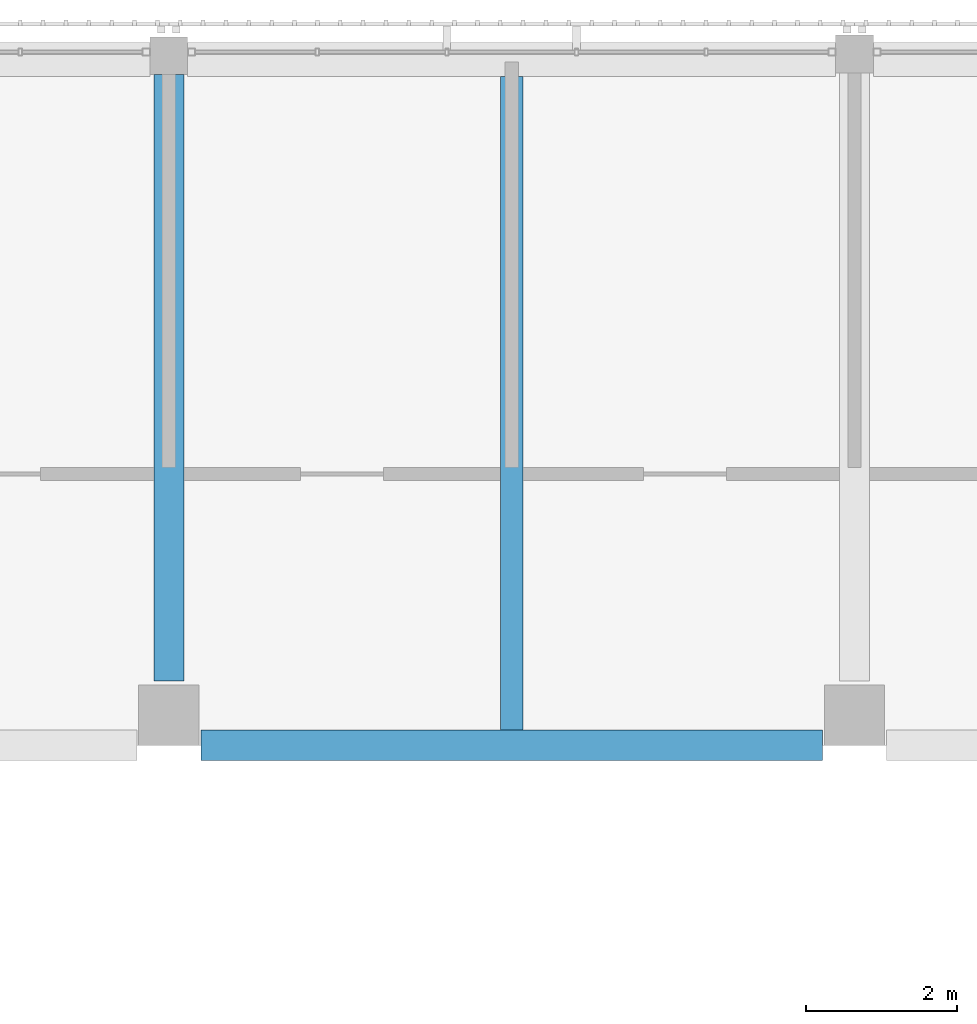
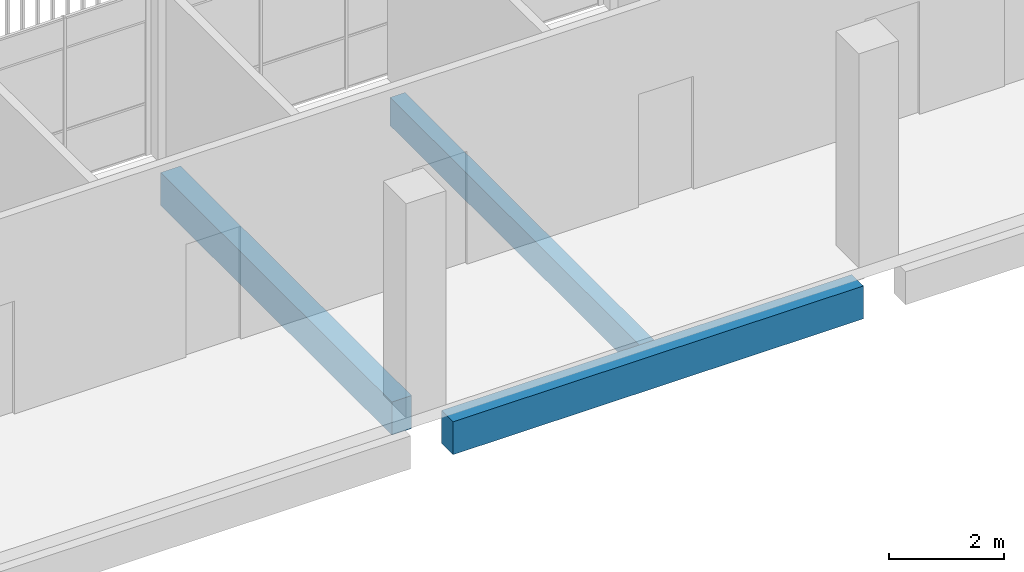
# One storey, part 42 of 124: 3 beams.
"""IFC4 building model written with IfcOpenShell, lengths in metres."""

from ifc_helpers import new_model, si_unit, direction, frame, origin, origin_2d, place, context, subcontext, project, spatial, rectangle, extrude, material, material_profile, profile_set, type_object, element, save


model = new_model("IFC4")

# Units and contexts
model_context = context("Model", 3, precision=1e-05, world=origin(), true_north=direction((0.0, 1.0)))
body_context = subcontext(model_context, "Body", "Model", "MODEL_VIEW")
ifc_project = project(units=[si_unit("LENGTHUNIT", "METRE"), si_unit("AREAUNIT", "SQUARE_METRE"), si_unit("VOLUMEUNIT", "CUBIC_METRE"), si_unit("PLANEANGLEUNIT", "RADIAN"), si_unit("MASSUNIT", "GRAM", prefix="KILO")], contexts=[model_context])

# Site, building, storey
site_placement = place(None, origin())
site = spatial("IfcSite", under=ifc_project, at=site_placement, CompositionType="ELEMENT")
building_placement = place(site_placement, origin())
building = spatial("IfcBuilding", under=site, at=building_placement, Name="Shirokan Park Arena", CompositionType="ELEMENT")
storey_placement = place(building_placement, frame((0.0, 0.0, 20.02001953125)))
storey = spatial("IfcBuildingStorey", under=building, at=storey_placement, Name="L04", CompositionType="ELEMENT", Elevation=20.02001953125)

# Beams
ifc_material = material(Name="Concrete C35", Category="concrete")
ifc_material_profile_1 = material_profile(ifc_material, rectangle(XDim=0.39990234375, YDim=0.699951171875, at=origin_2d()), Name="400x700")
ifc_profile_set_1 = profile_set([ifc_material_profile_1], Name="Concrete C35")
beam_type_1 = type_object("IfcBeamType", Name="RC girder 400x700", PredefinedType="BEAM", material=ifc_profile_set_1)
beam_1_placement = place(storey_placement, frame((82.3251953125, 100.10009765625, -0.60009765625), z_axis=(1.0, 0.0, 0.0), x_axis=(0.0, 1.0, 0.0)))
element("IfcBeam", 1, at=beam_1_placement, inside=storey, type_object=beam_type_1, Name="Girder 10M-11M L04", PredefinedType="BEAM", context=body_context, shape_type="SweptSolid", body=[
    extrude(rectangle(XDim=0.39990234375, YDim=0.699951171875, at=origin_2d()), origin(), (0.0, 0.0, 1.0), 8.249755859375),
])
beam_2_placement = place(storey_placement, frame((81.89990234375, 100.9501953125, -0.60009765625), z_axis=(0.0, 1.0, 0.0), x_axis=(-1.0, 0.0, 0.0)))
element("IfcBeam", 2, at=beam_2_placement, inside=storey, type_object=beam_type_1, Name="Girder 10M-10N L04", PredefinedType="BEAM", context=body_context, shape_type="SweptSolid", body=[
    extrude(rectangle(XDim=0.39990234375, YDim=0.699951171875, at=origin_2d()), origin(), (0.0, 0.0, 1.0), 8.0498046875),
])
ifc_material_profile_2 = material_profile(ifc_material, rectangle(XDim=0.300048828125, YDim=0.60009765625, at=origin_2d()), Name="300x600")
ifc_profile_set_2 = profile_set([ifc_material_profile_2], Name="Concrete C35")
beam_type_2 = type_object("IfcBeamType", Name="RC joist 300x600", PredefinedType="JOIST", material=ifc_profile_set_2)
beam_3_placement = place(storey_placement, frame((86.449951171875, 100.300048828125, -0.550048828125), z_axis=(0.0, 1.0, 0.0), x_axis=(-1.0, 0.0, 0.0)))
element("IfcBeam", 3, at=beam_3_placement, inside=storey, type_object=beam_type_2, Name="Joist 10M L04", PredefinedType="JOIST", context=body_context, shape_type="SweptSolid", body=[
    extrude(rectangle(XDim=0.300048828125, YDim=0.60009765625, at=origin_2d()), origin(), (0.0, 0.0, 1.0), 8.675048828125),
])

save(model, "model.ifc")
